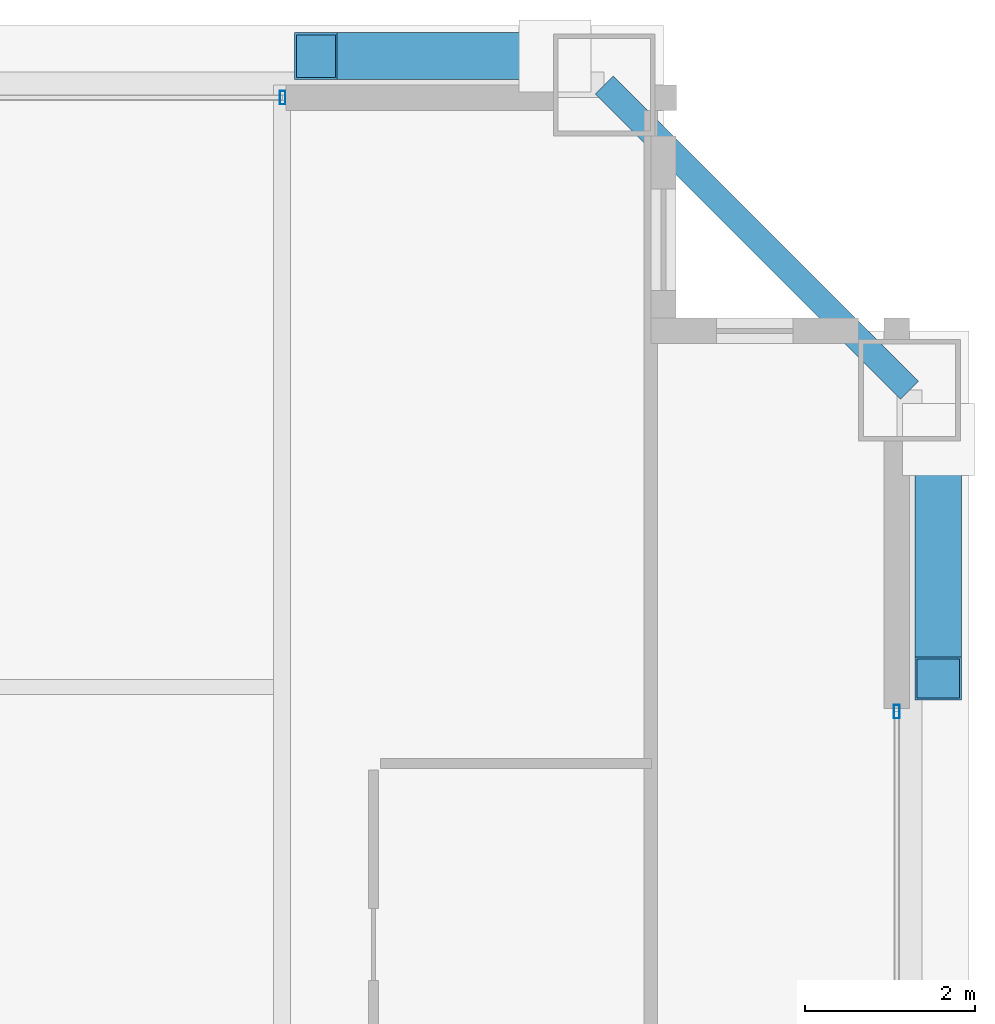
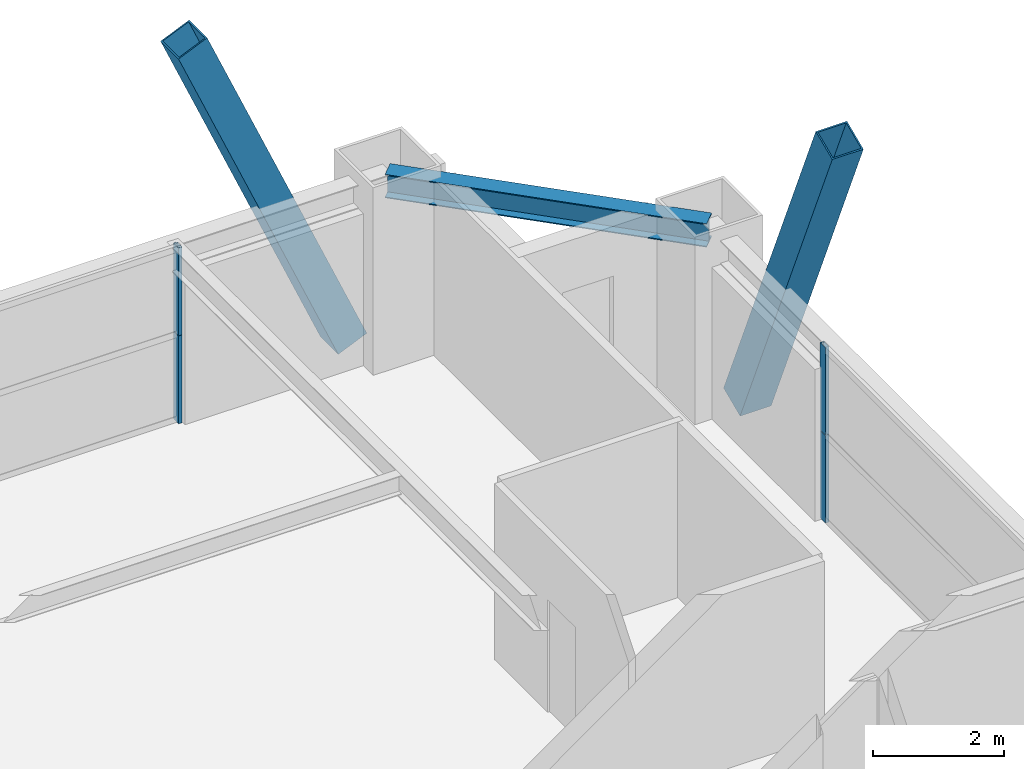
# One storey, part 29 of 35: 6 members, 1 beam, 2 elements without a shape of their own.
"""IFC4 building model written with IfcOpenShell, lengths in metres."""

import ifcopenshell
import ifcopenshell.guid

model = None  # the IFC model being written
_history = None  # IfcOwnerHistory: only IFC2X3 demands one
_inside = {}  # id of a spatial element -> (the spatial element, [elements in it])
_under = {}  # id of a project, library or spatial element -> (it, [spatial elements below it])
_declared = {}  # id of a project -> (the project, [libraries it declares])
_typed = {}  # id of a type object -> (the type object, [elements of that type])
_made_of = {}  # id of a material, layer set ... -> (it, [elements and type objects made of it])


def new_model(schema):
    """Start an empty IFC model of exactly this schema.

    Asked for "IFC4X3", IfcOpenShell would pick the latest addendum, in which some entities
    have other attributes; the version numbers below select the first issue.
    IFC2X3 requires an IfcOwnerHistory on every rooted entity: one is made here for all.
    """
    global model, _history
    if schema == "IFC4X3":
        model = ifcopenshell.file(schema_version=(4, 3, 0, 0))
    else:
        model = ifcopenshell.file(schema=schema)
    _inside.clear()
    _under.clear()
    _declared.clear()
    _typed.clear()
    _made_of.clear()
    _history = None
    if model.schema == "IFC2X3":
        org = make("IfcOrganization", Name="unknown")
        user = make(
            "IfcPersonAndOrganization",
            ThePerson=make("IfcPerson", FamilyName="unknown"),
            TheOrganization=org,
        )
        app = make(
            "IfcApplication",
            ApplicationDeveloper=org,
            Version="unknown",
            ApplicationFullName="unknown",
            ApplicationIdentifier="unknown",
        )
        _history = make(
            "IfcOwnerHistory",
            OwningUser=user,
            OwningApplication=app,
            ChangeAction="ADDED",
            CreationDate=0,
        )
    return model


def make(cls, **values):
    """One entity of the class cls with the attributes given. An attribute that is None is left unset."""
    return model.create_entity(
        cls, **{name: value for name, value in values.items() if value is not None}
    )


def rooted(cls, **values):
    """An entity with a GlobalId (a new one), such as an element, a storey or a relation."""
    return make(cls, GlobalId=ifcopenshell.guid.new(), OwnerHistory=_history, **values)


def si_unit(unit_type, name, prefix=None):
    """IfcSIUnit, for example si_unit("LENGTHUNIT", "METRE", prefix="MILLI")."""
    return make("IfcSIUnit", UnitType=unit_type, Prefix=prefix, Name=name)


def assignment(units):
    """IfcUnitAssignment: the units of a project."""
    return None if units is None else make("IfcUnitAssignment", Units=units)


def point(xyz):
    """IfcCartesianPoint."""
    return None if xyz is None else make("IfcCartesianPoint", Coordinates=xyz)


def direction(xyz):
    """IfcDirection."""
    return None if xyz is None else make("IfcDirection", DirectionRatios=xyz)


def frame(location, z_axis=None, x_axis=None):
    """IfcAxis2Placement3D, a coordinate frame: its origin and axes. An axis left out is left unset."""
    return make(
        "IfcAxis2Placement3D",
        Location=point(location),
        Axis=direction(z_axis),
        RefDirection=direction(x_axis),
    )


def frame_2d(location, x_axis=None):
    """IfcAxis2Placement2D, a coordinate frame in the plane: its origin and x axis."""
    return make(
        "IfcAxis2Placement2D", Location=point(location), RefDirection=direction(x_axis)
    )


def origin():
    """The frame at (0, 0, 0) with its axes left unset."""
    return frame((0.0, 0.0, 0.0))


def origin_2d():
    """The frame at (0, 0) in the plane with its x axis left unset."""
    return frame_2d((0.0, 0.0))


def place(relative_to, where):
    """IfcLocalPlacement: puts the frame where relative to a parent placement (None: the world)."""
    return make(
        "IfcLocalPlacement", PlacementRelTo=relative_to, RelativePlacement=where
    )


def context(
    kind, dimensions, precision=None, world=None, true_north=None, identifier=None
):
    """IfcGeometricRepresentationContext, for example the 3D "Model" context."""
    return make(
        "IfcGeometricRepresentationContext",
        ContextIdentifier=identifier,
        ContextType=kind,
        CoordinateSpaceDimension=dimensions,
        Precision=precision,
        WorldCoordinateSystem=world,
        TrueNorth=true_north,
    )


def subcontext(parent, identifier, kind, view, scale=None):
    """IfcGeometricRepresentationSubContext, for example "Body" below "Model"."""
    return make(
        "IfcGeometricRepresentationSubContext",
        ContextIdentifier=identifier,
        ContextType=kind,
        ParentContext=parent,
        TargetScale=scale,
        TargetView=view,
    )


def project(units=None, contexts=None):
    """IfcProject with its units and contexts."""
    return rooted(
        "IfcProject",
        Name="project",
        RepresentationContexts=contexts,
        UnitsInContext=assignment(units),
    )


def spatial(cls, under=None, at=None, **own):
    """A site, building, storey or space (cls), placed at a placement, below another one or the project."""
    s = rooted(cls, ObjectPlacement=at, **own)
    if under is not None:
        _under.setdefault(under.id(), (under, []))[1].append(s)
    return s


def profile(cls, at=None, kind="AREA", **sizes):
    """A parametric profile (cls). Its sizes go by their IFC names, for example OverallWidth=200.0."""
    return make(cls, ProfileType=kind, Position=at, **sizes)


def hollow_rectangle(**sizes):
    """IfcRectangleHollowProfileDef."""
    return profile("IfcRectangleHollowProfileDef", **sizes)


def i_section(**sizes):
    """IfcIShapeProfileDef."""
    return profile("IfcIShapeProfileDef", **sizes)


def extrude(swept, where, along, depth):
    """IfcExtrudedAreaSolid: the profile swept, set in the frame where, extruded along a direction by depth."""
    return make(
        "IfcExtrudedAreaSolid",
        SweptArea=swept,
        Position=where,
        ExtrudedDirection=direction(along),
        Depth=depth,
    )


def shape(context_of_items, identifier, shape_type, items):
    """IfcShapeRepresentation: the items that make up one representation, for example the "Body"."""
    return make(
        "IfcShapeRepresentation",
        ContextOfItems=context_of_items,
        RepresentationIdentifier=identifier,
        RepresentationType=shape_type,
        Items=items,
    )


def source(mapping_origin, context_of_items, identifier, shape_type, items):
    """IfcRepresentationMap: a shape defined once, which mapped items show again and again."""
    return make(
        "IfcRepresentationMap",
        MappingOrigin=mapping_origin,
        MappedRepresentation=shape(context_of_items, identifier, shape_type, items),
    )


def transform(
    local_origin,
    x_axis=None,
    y_axis=None,
    z_axis=None,
    scale=None,
    scale2=None,
    scale3=None,
    uniform=True,
):
    """IfcCartesianTransformationOperator3D, or its non-uniform kind. x_axis, y_axis, z_axis: its Axis1, 2, 3."""
    if uniform:
        return make(
            "IfcCartesianTransformationOperator3D",
            Axis1=direction(x_axis),
            Axis2=direction(y_axis),
            LocalOrigin=point(local_origin),
            Scale=scale,
            Axis3=direction(z_axis),
        )
    return make(
        "IfcCartesianTransformationOperator3DnonUniform",
        Axis1=direction(x_axis),
        Axis2=direction(y_axis),
        LocalOrigin=point(local_origin),
        Scale=scale,
        Axis3=direction(z_axis),
        Scale2=scale2,
        Scale3=scale3,
    )


def mapped(mapping_source, mapping_target):
    """IfcMappedItem: shows the shape of a source again, moved by a transform."""
    return make(
        "IfcMappedItem", MappingSource=mapping_source, MappingTarget=mapping_target
    )


def material(Name=None, Category=None):
    """IfcMaterial."""
    return make("IfcMaterial", Name=Name, Category=Category)


def layer(
    of_material, thickness, ventilated=None, Name=None, Category=None, Priority=None
):
    """IfcMaterialLayer: one layer of a wall or slab, of a material (None: an air gap)."""
    return make(
        "IfcMaterialLayer",
        Material=of_material,
        LayerThickness=thickness,
        IsVentilated=ventilated,
        Name=Name,
        Category=Category,
        Priority=Priority,
    )


def layer_set(layers, Name=None):
    """IfcMaterialLayerSet."""
    return make("IfcMaterialLayerSet", MaterialLayers=layers, LayerSetName=Name)


def material_profile(
    of_material, cross_section, Name=None, Category=None, Priority=None
):
    """IfcMaterialProfile: a cross section and its material."""
    return make(
        "IfcMaterialProfile",
        Name=Name,
        Material=of_material,
        Profile=cross_section,
        Priority=Priority,
        Category=Category,
    )


def profile_set(profiles, Name=None, composite=None):
    """IfcMaterialProfileSet."""
    return make(
        "IfcMaterialProfileSet",
        Name=Name,
        MaterialProfiles=profiles,
        CompositeProfile=composite,
    )


def made_of(thing, what):
    """Note that an element or type object is made of a material, layer set ...; save() writes the relation."""
    if what is not None:
        _made_of.setdefault(what.id(), (what, []))[1].append(thing)
    return thing


def type_object(cls, material=None, **own):
    """A type object (cls), such as IfcWallType, which elements share."""
    return made_of(rooted(cls, **own), material)


def element(
    cls,
    number,
    at=None,
    inside=None,
    cuts=None,
    type_object=None,
    material=None,
    context=None,
    identifier="Body",
    shape_type=None,
    held_by="IfcProductDefinitionShape",
    body=None,
    shapes=None,
    **own,
):
    """One element of the class cls, such as IfcWall. Its Tag is "e" and its number.

    at: its placement. inside: the storey or other place that contains it. cuts: it is an
    opening in that element (IfcRelVoidsElement). A single representation is given by context,
    identifier, shape_type and body (its items); several are given by shapes. held_by: the class
    of the entity that holds the representations. save() writes the other relations.
    """
    e = rooted(cls, Tag="e%d" % number, ObjectPlacement=at, **own)
    if body is not None:
        shapes = [shape(context, identifier, shape_type, body)]
    if shapes is not None:
        e.Representation = make(held_by, Representations=shapes)
    if inside is not None:
        _inside.setdefault(inside.id(), (inside, []))[1].append(e)
    if cuts is not None:
        rooted(
            "IfcRelVoidsElement", RelatingBuildingElement=cuts, RelatedOpeningElement=e
        )
    if type_object is not None:
        _typed.setdefault(type_object.id(), (type_object, []))[1].append(e)
    return made_of(e, material)


def aggregate(whole, parts):
    """IfcRelAggregates: a whole, such as a stair, and the parts it consists of."""
    return rooted("IfcRelAggregates", RelatingObject=whole, RelatedObjects=parts)


def save(model, path):
    """Write the relations noted so far, then the file.

    IfcRelAggregates (storeys below a building ...), IfcRelContainedInSpatialStructure (elements
    in a storey), IfcRelDefinesByType, IfcRelAssociatesMaterial and IfcRelDeclares: one each for
    every whole, place, type object, material and project.
    """
    for whole, parts in _under.values():
        aggregate(whole, parts)
    for where, things in _inside.values():
        rooted(
            "IfcRelContainedInSpatialStructure",
            RelatedElements=things,
            RelatingStructure=where,
        )
    for kind, things in _typed.values():
        rooted("IfcRelDefinesByType", RelatedObjects=things, RelatingType=kind)
    for what, things in _made_of.values():
        rooted("IfcRelAssociatesMaterial", RelatedObjects=things, RelatingMaterial=what)
    for by, libraries in _declared.values():
        rooted("IfcRelDeclares", RelatingContext=by, RelatedDefinitions=libraries)
    model.write(path)


model = new_model("IFC4")

# Units and contexts
model_context = context("Model", 3, precision=1e-05, world=origin(), true_north=direction((0.0, 1.0)))
body_context = subcontext(model_context, "Body", "Model", "MODEL_VIEW")
ifc_project = project(units=[si_unit("LENGTHUNIT", "METRE"), si_unit("AREAUNIT", "SQUARE_METRE"), si_unit("VOLUMEUNIT", "CUBIC_METRE"), si_unit("PLANEANGLEUNIT", "RADIAN"), si_unit("MASSUNIT", "GRAM", prefix="KILO"), si_unit("THERMODYNAMICTEMPERATUREUNIT", "KELVIN"), si_unit("POWERUNIT", "WATT")], contexts=[model_context])

# Site, building, storey
site_placement = place(None, origin())
site = spatial("IfcSite", under=ifc_project, at=site_placement, CompositionType="ELEMENT")
building_placement = place(site_placement, origin())
building = spatial("IfcBuilding", under=site, at=building_placement, Name="Yuzanri Waterfront Tower", CompositionType="ELEMENT")
storey_placement = place(building_placement, frame((0.0, 0.0, 227.60009765625)))
storey = spatial("IfcBuildingStorey", under=building, at=storey_placement, Name="L60", CompositionType="ELEMENT", Elevation=227.60009765625)

# Beam
ifc_material_1 = material(Name="Steel Q355B", Category="steel")
ifc_material_profile_1 = material_profile(ifc_material_1, i_section(OverallWidth=0.300048828125, OverallDepth=0.43994140625, WebThickness=0.010986328125, FlangeThickness=0.01806640625, at=origin_2d()), Name="HM 440x300x11x18")
ifc_profile_set_1 = profile_set([ifc_material_profile_1], Name="Steel Q355B")
beam_type = type_object("IfcBeamType", Name="Perimeter Spandrel Q355B HM 440x300", PredefinedType="SPANDREL", material=ifc_profile_set_1)
shared_shape_1 = source(origin(), body_context, "Body", "SweptSolid", [
    extrude(i_section(OverallWidth=0.300048828125, OverallDepth=0.43994140625, WebThickness=0.010986328125, FlangeThickness=0.01806640625, at=origin_2d()), origin(), (0.0, 0.0, 1.0), 5.091064453125),
])
beam_placement = place(storey_placement, frame((57.60009765625, 42.800048828125, 3.059814453125), z_axis=(-0.707130757816, 0.707082803744, 0.0), x_axis=(-0.707082803744, -0.707130757816, 0.0)))
element("IfcBeam", 1, at=beam_placement, inside=storey, type_object=beam_type, Name="L60 Perimeter Spandrel E3-N3", PredefinedType="SPANDREL", context=body_context, shape_type="MappedRepresentation", body=[
    mapped(shared_shape_1, transform((0.0, 0.0, 0.0), scale=1.0)),
])

# Members
ifc_material_2 = material(Name="Steel Q390GJC", Category="steel")
ifc_material_profile_2 = material_profile(ifc_material_2, hollow_rectangle(XDim=0.550048828125, YDim=0.550048828125, WallThickness=0.02490234375, at=origin_2d()), Name="RHS 550x550x25")
ifc_profile_set_2 = profile_set([ifc_material_profile_2], Name="Steel Q390GJC")
member_type_1 = type_object("IfcMemberType", Name="Mega Brace Mid Q390GJC RHS 550x550x25", PredefinedType="BRACE", material=ifc_profile_set_2)
shared_shape_2 = source(origin(), body_context, "Body", "SweptSolid", [
    extrude(hollow_rectangle(XDim=0.550048828125, YDim=0.550048828125, WallThickness=0.02490234375, at=origin_2d()), origin(), (0.0, 0.0, 1.0), 7.085205078125),
])
member_1_placement = place(storey_placement, frame((53.419921875, 46.739990234375, 0.179931640625), z_axis=(-0.397982599681, 0.0, 0.917392963975), x_axis=(0.0, -1.0, 0.0)))
element("IfcMember", 2, at=member_1_placement, inside=storey, type_object=member_type_1, Name="L60-L61 Perimeter Mega-Brace N-R", PredefinedType="BRACE", context=body_context, shape_type="MappedRepresentation", body=[
    mapped(shared_shape_2, transform((0.0, 0.0, 0.0), scale=1.0)),
])
shared_shape_3 = source(origin(), body_context, "Body", "SweptSolid", [
    extrude(hollow_rectangle(XDim=0.550048828125, YDim=0.550048828125, WallThickness=0.02490234375, at=origin_2d()), origin(), (0.0, 0.0, 1.0), 7.08544921875),
])
member_2_placement = place(storey_placement, frame((57.93994140625, 42.219970703125, 0.179931640625), z_axis=(0.0, -0.398011598745, 0.917380383082), x_axis=(1.0, 0.0, 0.0)))
element("IfcMember", 3, at=member_2_placement, inside=storey, type_object=member_type_1, Name="L60-L61 Perimeter Mega-Brace E-R", PredefinedType="BRACE", context=body_context, shape_type="MappedRepresentation", body=[
    mapped(shared_shape_3, transform((0.0, 0.0, 0.0), scale=1.0)),
])

# Curtain wall, members
ifc_material_3 = material(Name="Anodized Architectural Bronze", Category="metal")
ifc_layer = layer(ifc_material_3, 0.159912109375)
ifc_layer_set = layer_set([ifc_layer], Name="Anodized Architectural Bronze")
curtain_wall_type = type_object("IfcCurtainWallType", Name="Anodized Bronze Mid-Rise Residential Acoustic Unitized Curtain Wall 7200", PredefinedType="NOTDEFINED", material=ifc_layer_set)
curtain_wall_1_placement = place(storey_placement, origin())
curtain_wall_1 = element("IfcCurtainWall", 4, at=curtain_wall_1_placement, inside=storey, type_object=curtain_wall_type, Name="L60 Curtain Wall CW-L60-NR", PredefinedType="NOTDEFINED")
ifc_material_4 = material(Name="Anodized Architectural Bronze", Category="metal")
ifc_material_profile_3 = material_profile(ifc_material_4, hollow_rectangle(XDim=0.06494140625, YDim=0.159912109375, WallThickness=0.00341796875, at=origin_2d()), Name="CWM 65x160")
ifc_profile_set_3 = profile_set([ifc_material_profile_3], Name="Anodized Architectural Bronze")
member_type_2 = type_object("IfcMemberType", Name="Anodized Bronze Upper-Zone Curtain-Wall Mullion 65x160", PredefinedType="MULLION", material=ifc_profile_set_3)
shared_shape_4 = source(origin(), body_context, "Body", "SweptSolid", [
    extrude(hollow_rectangle(XDim=0.06494140625, YDim=0.159912109375, WallThickness=0.00341796875, at=origin_2d()), origin(), (0.0, 0.0, 1.0), 1.637939453125),
])
member_3_placement = place(storey_placement, frame((50.2099609375, 46.25, 0.0), z_axis=(0.0, 0.0, 1.0), x_axis=(1.0, 0.0, 0.0)))
member_3 = element("IfcMember", 5, at=member_3_placement, type_object=member_type_2, Name="CW-L60-NR Lower Mullion 02", PredefinedType="MULLION", context=body_context, shape_type="MappedRepresentation", body=[
    mapped(shared_shape_4, transform((0.0, 0.0, 0.0), scale=1.0)),
])
member_4_placement = place(storey_placement, frame((50.2099609375, 46.25, 1.641845703125), z_axis=(0.0, 0.0, 1.0), x_axis=(1.0, 0.0, 0.0)))
member_4 = element("IfcMember", 6, at=member_4_placement, type_object=member_type_2, Name="CW-L60-NR Upper Mullion 02", PredefinedType="MULLION", context=body_context, shape_type="MappedRepresentation", body=[
    mapped(shared_shape_4, transform((0.0, 0.0, 0.0), scale=1.0)),
])
aggregate(curtain_wall_1, [member_3, member_4])

curtain_wall_2_placement = place(storey_placement, origin())
curtain_wall_2 = element("IfcCurtainWall", 7, at=curtain_wall_2_placement, inside=storey, type_object=curtain_wall_type, Name="L60 Curtain Wall CW-L60-ER", PredefinedType="NOTDEFINED")
member_5_placement = place(storey_placement, frame((57.449951171875, 39.010009765625, 0.0), z_axis=(0.0, 0.0, 1.0), x_axis=(1.0, 0.0, 0.0)))
member_5 = element("IfcMember", 8, at=member_5_placement, type_object=member_type_2, Name="CW-L60-ER Lower Mullion 02", PredefinedType="MULLION", context=body_context, shape_type="MappedRepresentation", body=[
    mapped(shared_shape_4, transform((0.0, 0.0, 0.0), scale=1.0)),
])
member_6_placement = place(storey_placement, frame((57.449951171875, 39.010009765625, 1.641845703125), z_axis=(0.0, 0.0, 1.0), x_axis=(1.0, 0.0, 0.0)))
member_6 = element("IfcMember", 9, at=member_6_placement, type_object=member_type_2, Name="CW-L60-ER Upper Mullion 02", PredefinedType="MULLION", context=body_context, shape_type="MappedRepresentation", body=[
    mapped(shared_shape_4, transform((0.0, 0.0, 0.0), scale=1.0)),
])
aggregate(curtain_wall_2, [member_5, member_6])

save(model, "model.ifc")
